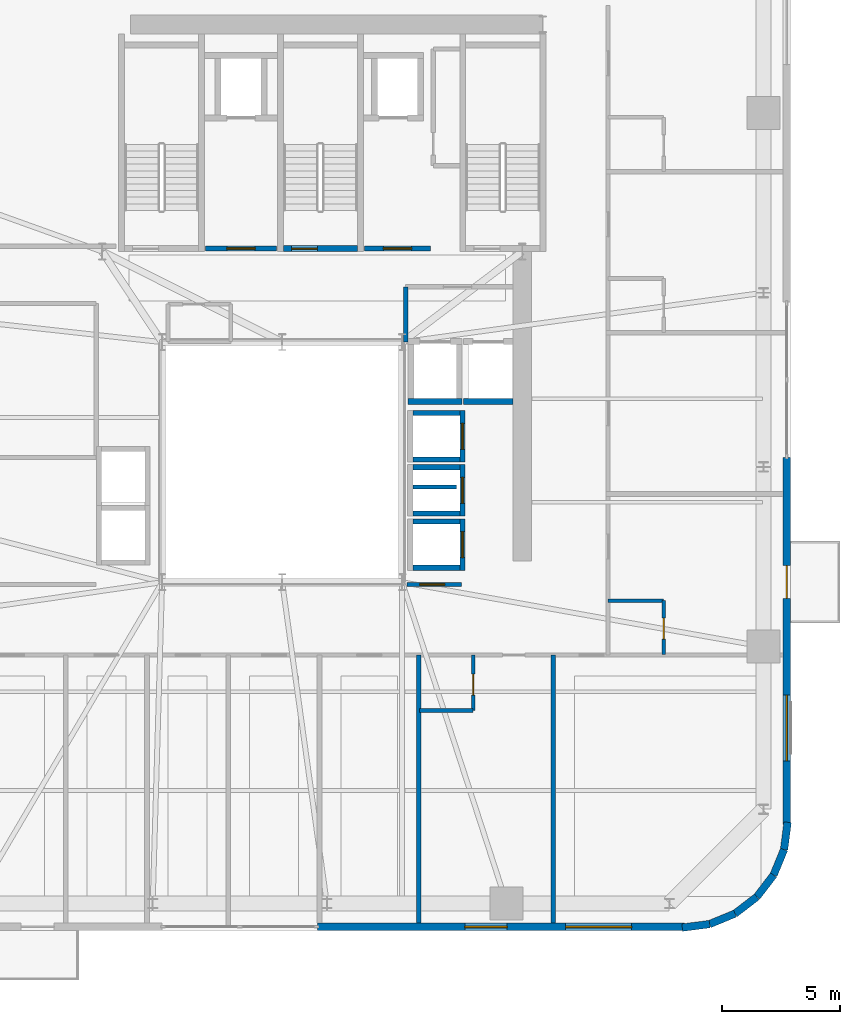
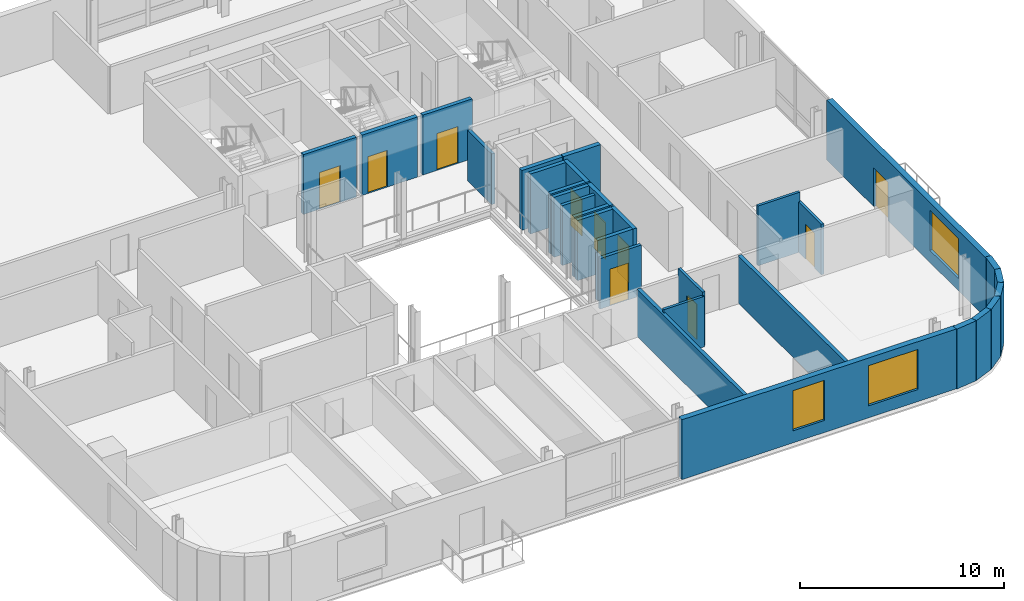
# One storey, part 9 of 16: 31 walls, 10 doors, 3 windows, 13 openings.
"""IFC4 building model written with IfcOpenShell, lengths in metres."""

from ifc_helpers import new_model, si_unit, direction, frame, frame_2d, origin, place, context, subcontext, project, spatial, rectangle, extrude, source, transform, mapped, material, layer, layer_set, type_object, element, fill, save


model = new_model("IFC4")

# Units and contexts
model_context = context("Model", 3, precision=1e-05, world=origin(), true_north=direction((0.0, 1.0)))
body_context = subcontext(model_context, "Body", "Model", "MODEL_VIEW")
ifc_project = project(units=[si_unit("LENGTHUNIT", "METRE"), si_unit("AREAUNIT", "SQUARE_METRE"), si_unit("VOLUMEUNIT", "CUBIC_METRE"), si_unit("PLANEANGLEUNIT", "RADIAN"), si_unit("MASSUNIT", "GRAM", prefix="KILO")], contexts=[model_context])

# Site, building, storey
site_placement = place(None, origin())
site = spatial("IfcSite", under=ifc_project, at=site_placement, CompositionType="ELEMENT")
building_placement = place(site_placement, origin())
building = spatial("IfcBuilding", under=site, at=building_placement, Name="Vardaveli Station Tower", CompositionType="ELEMENT")
storey_placement = place(building_placement, frame((0.0, 0.0, 181.0)))
storey = spatial("IfcBuildingStorey", under=building, at=storey_placement, Name="L46", CompositionType="ELEMENT", Elevation=181.0)

# Wall, openings, windows
ifc_material_1 = material(Name="Precast concrete C45/55", Category="concrete")
ifc_layer_1 = layer(ifc_material_1, 0.320068359375, Name="Precast concrete C45/55")
ifc_layer_set_1 = layer_set([ifc_layer_1], Name="Precast concrete C45/55")
wall_type_1 = type_object("IfcWallType", Name="WAL-EXT-STONE-320", PredefinedType="SOLIDWALL", material=ifc_layer_set_1)
shared_shape_1 = source(origin(), body_context, "Body", "SweptSolid", [
    extrude(rectangle(XDim=15.599853515625, YDim=0.320068359375, at=frame_2d((7.7998046875, 0.0))), origin(), (0.0, 0.0, 1.0), 3.580078125),
])
wall_1_placement = place(storey_placement, frame((37.800048828125, 1.9599609375, 0.0), z_axis=(0.0, 0.0, 1.0), x_axis=(1.0, 0.0, 0.0)))
wall_1 = element("IfcWall", 1, at=wall_1_placement, inside=storey, type_object=wall_type_1, Name="EW-L46-S2", PredefinedType="SOLIDWALL", context=body_context, shape_type="MappedRepresentation", body=[
    mapped(shared_shape_1, transform((0.0, 0.0, 0.0), scale=1.0)),
])
shared_shape_2 = source(origin(), body_context, "Body", "SweptSolid", [
    extrude(rectangle(XDim=2.800048828125, YDim=2.39990234375, at=frame_2d((1.39990234375, 1.199951171875))), frame((0.0, 0.169921875, 0.0), z_axis=(0.0, -1.0, 0.0), x_axis=(1.0, 0.0, 0.0)), (0.0, 0.0, 1.0), 0.340087890625),
])
opening_1_placement = place(wall_1_placement, frame((10.544921875, 0.0, 0.719970703125)))
opening_1 = element("IfcOpeningElement", 2, at=opening_1_placement, cuts=wall_1, Name="Opening W-04", PredefinedType="OPENING", context=body_context, shape_type="MappedRepresentation", body=[
    mapped(shared_shape_2, transform((0.0, 0.0, 0.0), scale=1.0)),
])
shared_shape_3 = source(origin(), body_context, "Body", "SweptSolid", [
    extrude(rectangle(XDim=1.800048828125, YDim=2.39990234375, at=frame_2d((0.89990234375, 1.199951171875))), frame((0.0, 0.169921875, 0.0), z_axis=(0.0, -1.0, 0.0), x_axis=(1.0, 0.0, 0.0)), (0.0, 0.0, 1.0), 0.340087890625),
])
opening_2_placement = place(wall_1_placement, frame((6.262451171875, 0.0, 0.719970703125)))
opening_2 = element("IfcOpeningElement", 3, at=opening_2_placement, cuts=wall_1, Name="Opening W-05", PredefinedType="OPENING", context=body_context, shape_type="MappedRepresentation", body=[
    mapped(shared_shape_3, transform((0.0, 0.0, 0.0), scale=1.0)),
])
ifc_material_2 = material(Name="Low-E solar-control glass", Category="glass")
window_type_1 = type_object("IfcWindowType", Name="WIN-SUITE-2800x2400", PartitioningType="SINGLE_PANEL", PredefinedType="WINDOW", material=ifc_material_2)
shared_shape_4 = source(origin(), body_context, "Body", "SweptSolid", [
    extrude(rectangle(XDim=2.800048828125, YDim=2.39990234375, at=frame_2d((1.39990234375, 1.199951171875))), frame((0.0, 0.030029296875, 0.0), z_axis=(0.0, -1.0, 0.0), x_axis=(1.0, 0.0, 0.0)), (0.0, 0.0, 1.0), 0.06005859375),
])
window_1_placement = place(opening_1_placement, origin())
window_1 = element("IfcWindow", 4, at=window_1_placement, inside=storey, type_object=window_type_1, Name="WN-L46-S2", OverallHeight=2.39990234375, OverallWidth=2.800048828125, PartitioningType="SINGLE_PANEL", PredefinedType="WINDOW", context=body_context, shape_type="MappedRepresentation", body=[
    mapped(shared_shape_4, transform((0.0, 0.0, 0.0), scale=1.0)),
])
fill(opening_1, window_1)
window_type_2 = type_object("IfcWindowType", Name="WIN-HIGH-1800x2400", PartitioningType="SINGLE_PANEL", PredefinedType="WINDOW", material=ifc_material_2)
shared_shape_5 = source(origin(), body_context, "Body", "SweptSolid", [
    extrude(rectangle(XDim=1.800048828125, YDim=2.39990234375, at=frame_2d((0.89990234375, 1.199951171875))), frame((0.0, 0.030029296875, 0.0), z_axis=(0.0, -1.0, 0.0), x_axis=(1.0, 0.0, 0.0)), (0.0, 0.0, 1.0), 0.06005859375),
])
window_2_placement = place(opening_2_placement, origin())
window_2 = element("IfcWindow", 5, at=window_2_placement, inside=storey, type_object=window_type_2, Name="WN-L46-GW1", OverallHeight=2.39990234375, OverallWidth=1.800048828125, PartitioningType="SINGLE_PANEL", PredefinedType="WINDOW", context=body_context, shape_type="MappedRepresentation", body=[
    mapped(shared_shape_5, transform((0.0, 0.0, 0.0), scale=1.0)),
])
fill(opening_2, window_2)

# Wall, openings, door, window
wall_2_placement = place(storey_placement, frame((57.739990234375, 6.300048828125, 0.0), z_axis=(0.0, 0.0, 1.0), x_axis=(0.0, 1.0, 0.0)))
wall_2 = element("IfcWall", 6, at=wall_2_placement, inside=storey, type_object=wall_type_1, Name="EW-L46-E1", PredefinedType="SOLIDWALL", context=body_context, shape_type="MappedRepresentation", body=[
    mapped(shared_shape_1, transform((0.0, 0.0, 0.0), scale=1.0)),
])
shared_shape_6 = source(origin(), body_context, "Body", "SweptSolid", [
    extrude(rectangle(XDim=1.39990234375, YDim=2.300048828125, at=frame_2d((0.699951171875, 1.14990234375))), frame((0.0, 0.169921875, 0.0), z_axis=(0.0, -1.0, 0.0), x_axis=(1.0, 0.0, 0.0)), (0.0, 0.0, 1.0), 0.340087890625),
])
opening_3_placement = place(wall_2_placement, frame((9.6103515625, 0.0, 0.0)))
opening_3 = element("IfcOpeningElement", 7, at=opening_3_placement, cuts=wall_2, Name="Opening D-09", PredefinedType="OPENING", context=body_context, shape_type="MappedRepresentation", body=[
    mapped(shared_shape_6, transform((0.0, 0.0, 0.0), scale=1.0)),
])
opening_4_placement = place(wall_2_placement, frame((2.705078125, 0.0, 0.719970703125)))
opening_4 = element("IfcOpeningElement", 8, at=opening_4_placement, cuts=wall_2, Name="Opening W-04", PredefinedType="OPENING", context=body_context, shape_type="MappedRepresentation", body=[
    mapped(shared_shape_2, transform((0.0, 0.0, 0.0), scale=1.0)),
])
ifc_material_3 = material(Name="Thermally broken aluminium glass", Category="aluminium")
door_type_1 = type_object("IfcDoorType", Name="DR-LOG-1400x2300", OperationType="DOUBLE_DOOR_SLIDING", PredefinedType="DOOR", material=ifc_material_3)
shared_shape_7 = source(origin(), body_context, "Body", "SweptSolid", [
    extrude(rectangle(XDim=1.39990234375, YDim=2.300048828125, at=frame_2d((0.699951171875, 1.14990234375))), frame((0.0, 0.02490234375, 0.0), z_axis=(0.0, -1.0, 0.0), x_axis=(1.0, 0.0, 0.0)), (0.0, 0.0, 1.0), 0.050048828125),
])
door_1_placement = place(opening_3_placement, frame((1.39990234375, 0.0, 0.0), z_axis=(0.0, 0.0, 1.0), x_axis=(-1.0, 0.0, 0.0)))
door_1 = element("IfcDoor", 9, at=door_1_placement, inside=storey, type_object=door_type_1, Name="DLG-L46-E", OperationType="DOUBLE_DOOR_SLIDING", OverallHeight=2.300048828125, OverallWidth=1.39990234375, PredefinedType="DOOR", context=body_context, shape_type="MappedRepresentation", body=[
    mapped(shared_shape_7, transform((0.0, 0.0, 0.0), scale=1.0)),
])
fill(opening_3, door_1)
window_3_placement = place(opening_4_placement, origin())
window_3 = element("IfcWindow", 10, at=window_3_placement, inside=storey, type_object=window_type_1, Name="WN-L46-E1", OverallHeight=2.39990234375, OverallWidth=2.800048828125, PartitioningType="SINGLE_PANEL", PredefinedType="WINDOW", context=body_context, shape_type="MappedRepresentation", body=[
    mapped(shared_shape_4, transform((0.0, 0.0, 0.0), scale=1.0)),
])
fill(opening_4, window_3)

# Walls
shared_shape_8 = source(origin(), body_context, "Body", "SweptSolid", [
    extrude(rectangle(XDim=1.170654296875, YDim=0.320068359375, at=frame_2d((0.58544921875, 0.0))), origin(), (0.0, 0.0, 1.0), 3.580078125),
])
wall_3_placement = place(storey_placement, frame((57.62548828125, 5.23974609375, 0.0), z_axis=(0.0, 0.0, 1.0), x_axis=(0.128269133229, 0.991739395941, 0.0)))
element("IfcWall", 11, at=wall_3_placement, inside=storey, type_object=wall_type_1, Name="EW-L46-CR2-6", PredefinedType="SOLIDWALL", context=body_context, shape_type="MappedRepresentation", body=[
    mapped(shared_shape_8, transform((0.0, 0.0, 0.0), scale=1.0)),
])
shared_shape_9 = source(origin(), body_context, "Body", "SweptSolid", [
    extrude(rectangle(XDim=1.1689453125, YDim=0.320068359375, at=frame_2d((0.58447265625, 0.0))), origin(), (0.0, 0.0, 1.0), 3.580078125),
])
for number, where, z_axis, x_axis, name in (
    (12, (56.46875, 3.231201171875, 0.0), (0.0, 0.0, 1.0), (0.608387696831, 0.793639975269, 0.0), "EW-L46-CR2-4"),
    (13, (57.179931640625, 4.158935546875, 0.0), (0.0, 0.0, 1.0), (0.381127904695, 0.924522320046, 0.0), "EW-L46-CR2-5"),
):
    element("IfcWall", number, at=place(storey_placement, frame(where, z_axis=z_axis, x_axis=x_axis)), inside=storey, type_object=wall_type_1, Name=name, PredefinedType="SOLIDWALL", context=body_context, shape_type="MappedRepresentation", body=[
        mapped(shared_shape_9, transform((0.0, 0.0, 0.0), scale=1.0)),
    ])
shared_shape_10 = source(origin(), body_context, "Body", "SweptSolid", [
    extrude(rectangle(XDim=1.168701171875, YDim=0.320068359375, at=frame_2d((0.58447265625, 0.0))), origin(), (0.0, 0.0, 1.0), 3.580078125),
])
wall_4_placement = place(storey_placement, frame((55.541259765625, 2.520263671875, 0.0), z_axis=(0.0, 0.0, 1.0), x_axis=(0.793663520347, 0.608356981114, 0.0)))
element("IfcWall", 14, at=wall_4_placement, inside=storey, type_object=wall_type_1, Name="EW-L46-CR2-3", PredefinedType="SOLIDWALL", context=body_context, shape_type="MappedRepresentation", body=[
    mapped(shared_shape_10, transform((0.0, 0.0, 0.0), scale=1.0)),
])
shared_shape_11 = source(origin(), body_context, "Body", "SweptSolid", [
    extrude(rectangle(XDim=1.16943359375, YDim=0.320068359375, at=frame_2d((0.584716796875, 0.0))), origin(), (0.0, 0.0, 1.0), 3.580078125),
])
wall_5_placement = place(storey_placement, frame((54.460205078125, 2.074462890625, 0.0), z_axis=(0.0, 0.0, 1.0), x_axis=(0.924479075121, 0.381232789334, 0.0)))
element("IfcWall", 15, at=wall_5_placement, inside=storey, type_object=wall_type_1, Name="EW-L46-CR2-2", PredefinedType="SOLIDWALL", context=body_context, shape_type="MappedRepresentation", body=[
    mapped(shared_shape_11, transform((0.0, 0.0, 0.0), scale=1.0)),
])
shared_shape_12 = source(origin(), body_context, "Body", "SweptSolid", [
    extrude(rectangle(XDim=1.170166015625, YDim=0.320068359375, at=frame_2d((0.5849609375, 0.0))), origin(), (0.0, 0.0, 1.0), 3.580078125),
])
wall_6_placement = place(storey_placement, frame((53.299560546875, 1.924560546875, 0.0), z_axis=(0.0, 0.0, 1.0), x_axis=(0.991762485493, 0.128090485085, 0.0)))
element("IfcWall", 16, at=wall_6_placement, inside=storey, type_object=wall_type_1, Name="EW-L46-CR2-1", PredefinedType="SOLIDWALL", context=body_context, shape_type="MappedRepresentation", body=[
    mapped(shared_shape_12, transform((0.0, 0.0, 0.0), scale=1.0)),
])

# Wall, opening, door
ifc_material_4 = material(Name="Concrete C40/50", Category="concrete")
ifc_layer_2 = layer(ifc_material_4, 0.25, Name="Concrete C40/50")
ifc_layer_set_2 = layer_set([ifc_layer_2], Name="Concrete C40/50")
wall_type_2 = type_object("IfcWallType", Name="WAL-SHAFT-250", PredefinedType="SOLIDWALL", material=ifc_layer_set_2)
shared_shape_13 = source(origin(), body_context, "Body", "SweptSolid", [
    extrude(rectangle(XDim=3.14990234375, YDim=0.25, at=frame_2d((1.574951171875, 0.0))), origin(), (0.0, 0.0, 1.0), 3.60009765625),
])
wall_7_placement = place(storey_placement, frame((36.35009765625, 30.77490234375, 0.0), z_axis=(0.0, 0.0, 1.0), x_axis=(1.0, 0.0, 0.0)))
wall_7 = element("IfcWall", 17, at=wall_7_placement, inside=storey, type_object=wall_type_2, Name="W-L46-ST-2S", PredefinedType="SOLIDWALL", context=body_context, shape_type="MappedRepresentation", body=[
    mapped(shared_shape_13, transform((0.0, 0.0, 0.0), scale=1.0)),
])
shared_shape_14 = source(origin(), body_context, "Body", "SweptSolid", [
    extrude(rectangle(XDim=1.10009765625, YDim=2.199951171875, at=frame_2d((0.550048828125, 1.10009765625))), frame((0.0, 0.135009765625, 0.0), z_axis=(0.0, -1.0, 0.0), x_axis=(1.0, 0.0, 0.0)), (0.0, 0.0, 1.0), 0.27001953125),
])
opening_5_placement = place(wall_7_placement, frame((0.35009765625, 0.0, 0.0)))
opening_5 = element("IfcOpeningElement", 18, at=opening_5_placement, cuts=wall_7, Name="Opening D-04", PredefinedType="OPENING", context=body_context, shape_type="MappedRepresentation", body=[
    mapped(shared_shape_14, transform((0.0, 0.0, 0.0), scale=1.0)),
])
ifc_material_5 = material(Name="Steel smokeproof fire doorset", Category="steel")
door_type_2 = type_object("IfcDoorType", Name="DR-ST-1100x2200", OperationType="NOTDEFINED", PredefinedType="DOOR", material=ifc_material_5)
shared_shape_15 = source(origin(), body_context, "Body", "SweptSolid", [
    extrude(rectangle(XDim=1.10009765625, YDim=2.199951171875, at=frame_2d((0.550048828125, 1.10009765625))), frame((0.0, 0.02490234375, 0.0), z_axis=(0.0, -1.0, 0.0), x_axis=(1.0, 0.0, 0.0)), (0.0, 0.0, 1.0), 0.050048828125),
])
door_2_placement = place(opening_5_placement, origin())
door_2 = element("IfcDoor", 19, at=door_2_placement, inside=storey, type_object=door_type_2, Name="DST-2-L46", OperationType="SINGLE_SWING_LEFT", OverallHeight=2.199951171875, OverallWidth=1.10009765625, PredefinedType="DOOR", context=body_context, shape_type="MappedRepresentation", body=[
    mapped(shared_shape_15, transform((0.0, 0.0, 0.0), scale=1.0)),
])
fill(opening_5, door_2)

ifc_layer_3 = layer(ifc_material_4, 0.219970703125, Name="Concrete C40/50")
ifc_layer_set_3 = layer_set([ifc_layer_3], Name="Concrete C40/50")
wall_type_3 = type_object("IfcWallType", Name="WAL-FFLOBBY-220", PredefinedType="SOLIDWALL", material=ifc_layer_set_3)
shared_shape_16 = source(origin(), body_context, "Body", "SweptSolid", [
    extrude(rectangle(XDim=3.0, YDim=0.219970703125, at=frame_2d((1.5, 0.0))), origin(), (0.0, 0.0, 1.0), 3.580078125),
])
wall_8_placement = place(storey_placement, frame((33.050048828125, 30.780029296875, 0.0), z_axis=(0.0, 0.0, 1.0), x_axis=(1.0, 0.0, 0.0)))
wall_8 = element("IfcWall", 20, at=wall_8_placement, inside=storey, type_object=wall_type_3, Name="W-L46-FFL1S", PredefinedType="SOLIDWALL", context=body_context, shape_type="MappedRepresentation", body=[
    mapped(shared_shape_16, transform((0.0, 0.0, 0.0), scale=1.0)),
])
shared_shape_17 = source(origin(), body_context, "Body", "SweptSolid", [
    extrude(rectangle(XDim=1.199951171875, YDim=2.199951171875, at=frame_2d((0.60009765625, 1.10009765625))), frame((0.0, 0.1201171875, 0.0), z_axis=(0.0, -1.0, 0.0), x_axis=(1.0, 0.0, 0.0)), (0.0, 0.0, 1.0), 0.239990234375),
])
opening_6_placement = place(wall_8_placement, frame((0.89990234375, 0.0, 0.0)))
opening_6 = element("IfcOpeningElement", 21, at=opening_6_placement, cuts=wall_8, Name="Opening D-03", PredefinedType="OPENING", context=body_context, shape_type="MappedRepresentation", body=[
    mapped(shared_shape_17, transform((0.0, 0.0, 0.0), scale=1.0)),
])
door_type_3 = type_object("IfcDoorType", Name="DR-FFL-1200x2200", OperationType="NOTDEFINED", PredefinedType="DOOR", material=ifc_material_5)
shared_shape_18 = source(origin(), body_context, "Body", "SweptSolid", [
    extrude(rectangle(XDim=1.199951171875, YDim=2.199951171875, at=frame_2d((0.60009765625, 1.10009765625))), frame((0.0, 0.02490234375, 0.0), z_axis=(0.0, -1.0, 0.0), x_axis=(1.0, 0.0, 0.0)), (0.0, 0.0, 1.0), 0.050048828125),
])
door_3_placement = place(opening_6_placement, origin())
door_3 = element("IfcDoor", 22, at=door_3_placement, inside=storey, type_object=door_type_3, Name="DFFL1-L46", OperationType="SINGLE_SWING_LEFT", OverallHeight=2.199951171875, OverallWidth=1.199951171875, PredefinedType="DOOR", context=body_context, shape_type="MappedRepresentation", body=[
    mapped(shared_shape_18, transform((0.0, 0.0, 0.0), scale=1.0)),
])
fill(opening_6, door_3)

shared_shape_19 = source(origin(), body_context, "Body", "SweptSolid", [
    extrude(rectangle(XDim=2.800048828125, YDim=0.219970703125, at=frame_2d((1.39990234375, 0.0))), origin(), (0.0, 0.0, 1.0), 3.580078125),
])
wall_9_placement = place(storey_placement, frame((39.800048828125, 30.780029296875, 0.0), z_axis=(0.0, 0.0, 1.0), x_axis=(1.0, 0.0, 0.0)))
wall_9 = element("IfcWall", 23, at=wall_9_placement, inside=storey, type_object=wall_type_3, Name="W-L46-FFL2S", PredefinedType="SOLIDWALL", context=body_context, shape_type="MappedRepresentation", body=[
    mapped(shared_shape_19, transform((0.0, 0.0, 0.0), scale=1.0)),
])
opening_7_placement = place(wall_9_placement, frame((0.800048828125, 0.0, 0.0)))
opening_7 = element("IfcOpeningElement", 24, at=opening_7_placement, cuts=wall_9, Name="Opening D-03", PredefinedType="OPENING", context=body_context, shape_type="MappedRepresentation", body=[
    mapped(shared_shape_17, transform((0.0, 0.0, 0.0), scale=1.0)),
])
door_4_placement = place(opening_7_placement, origin())
door_4 = element("IfcDoor", 25, at=door_4_placement, inside=storey, type_object=door_type_3, Name="DFFL2-L46", OperationType="SINGLE_SWING_RIGHT", OverallHeight=2.199951171875, OverallWidth=1.199951171875, PredefinedType="DOOR", context=body_context, shape_type="MappedRepresentation", body=[
    mapped(shared_shape_18, transform((0.0, 0.0, 0.0), scale=1.0)),
])
fill(opening_7, door_4)

# Walls
shared_shape_20 = source(origin(), body_context, "Body", "SweptSolid", [
    extrude(rectangle(XDim=2.0, YDim=0.219970703125, at=frame_2d((1.0, 0.0))), origin(), (0.0, 0.0, 1.0), 3.580078125),
])
for number, where, z_axis, x_axis, name in (
    (26, (41.85009765625, 21.81494140625, 0.0), (0.0, 0.0, 1.0), (1.0, 0.0, 0.0), "SHW-HL3-01-L46-S"),
    (27, (41.85009765625, 23.784912109375, 0.0), (0.0, 0.0, 1.0), (1.0, 0.0, 0.0), "SHW-HL3-01-L46-N"),
    (28, (41.85009765625, 19.514892578125, 0.0), (0.0, 0.0, 1.0), (1.0, 0.0, 0.0), "SHW-HL3-02-L46-S"),
    (29, (41.85009765625, 21.485107421875, 0.0), (0.0, 0.0, 1.0), (1.0, 0.0, 0.0), "SHW-HL3-02-L46-N"),
    (30, (41.85009765625, 17.215087890625, 0.0), (0.0, 0.0, 1.0), (1.0, 0.0, 0.0), "SHW-HL3-03-L46-S"),
    (31, (41.85009765625, 19.18505859375, 0.0), (0.0, 0.0, 1.0), (1.0, 0.0, 0.0), "SHW-HL3-03-L46-N"),
):
    element("IfcWall", number, at=place(storey_placement, frame(where, z_axis=z_axis, x_axis=x_axis)), inside=storey, type_object=wall_type_3, Name=name, PredefinedType="SOLIDWALL", context=body_context, shape_type="MappedRepresentation", body=[
        mapped(shared_shape_20, transform((0.0, 0.0, 0.0), scale=1.0)),
    ])

# Wall, opening, door
shared_shape_21 = source(origin(), body_context, "Body", "SweptSolid", [
    extrude(rectangle(XDim=2.18994140625, YDim=0.219970703125, at=frame_2d((1.094970703125, 0.0))), origin(), (0.0, 0.0, 1.0), 3.580078125),
])
wall_10_placement = place(storey_placement, frame((43.9599609375, 21.705078125, 0.0), z_axis=(0.0, 0.0, 1.0), x_axis=(0.0, 1.0, 0.0)))
wall_10 = element("IfcWall", 32, at=wall_10_placement, inside=storey, type_object=wall_type_3, Name="SHW-HL3-01-L46-E", PredefinedType="SOLIDWALL", context=body_context, shape_type="MappedRepresentation", body=[
    mapped(shared_shape_21, transform((0.0, 0.0, 0.0), scale=1.0)),
])
shared_shape_22 = source(origin(), body_context, "Body", "SweptSolid", [
    extrude(rectangle(XDim=1.10009765625, YDim=2.199951171875, at=frame_2d((0.550048828125, 1.10009765625))), frame((0.0, 0.1201171875, 0.0), z_axis=(0.0, -1.0, 0.0), x_axis=(1.0, 0.0, 0.0)), (0.0, 0.0, 1.0), 0.239990234375),
])
opening_8_placement = place(wall_10_placement, frame((0.544921875, 0.0, 0.0)))
opening_8 = element("IfcOpeningElement", 33, at=opening_8_placement, cuts=wall_10, Name="Opening LD-01", PredefinedType="OPENING", context=body_context, shape_type="MappedRepresentation", body=[
    mapped(shared_shape_22, transform((0.0, 0.0, 0.0), scale=1.0)),
])
ifc_material_6 = material(Name="Brushed stainless steel", Category="steel")
door_type_4 = type_object("IfcDoorType", Name="DR-LD-1100x2200", OperationType="DOUBLE_DOOR_SLIDING", PredefinedType="DOOR", material=ifc_material_6)
door_5_placement = place(opening_8_placement, origin())
door_5 = element("IfcDoor", 34, at=door_5_placement, inside=storey, type_object=door_type_4, Name="LD-HL3-01-L46", OperationType="DOUBLE_DOOR_SLIDING", OverallHeight=2.199951171875, OverallWidth=1.10009765625, PredefinedType="DOOR", context=body_context, shape_type="MappedRepresentation", body=[
    mapped(shared_shape_15, transform((0.0, 0.0, 0.0), scale=1.0)),
])
fill(opening_8, door_5)

wall_11_placement = place(storey_placement, frame((43.9599609375, 19.405029296875, 0.0), z_axis=(0.0, 0.0, 1.0), x_axis=(0.0, 1.0, 0.0)))
wall_11 = element("IfcWall", 35, at=wall_11_placement, inside=storey, type_object=wall_type_3, Name="SHW-HL3-02-L46-E", PredefinedType="SOLIDWALL", context=body_context, shape_type="MappedRepresentation", body=[
    mapped(shared_shape_21, transform((0.0, 0.0, 0.0), scale=1.0)),
])
opening_9_placement = place(wall_11_placement, frame((0.544921875, 0.0, 0.0)))
opening_9 = element("IfcOpeningElement", 36, at=opening_9_placement, cuts=wall_11, Name="Opening LD-01", PredefinedType="OPENING", context=body_context, shape_type="MappedRepresentation", body=[
    mapped(shared_shape_22, transform((0.0, 0.0, 0.0), scale=1.0)),
])
door_6_placement = place(opening_9_placement, origin())
door_6 = element("IfcDoor", 37, at=door_6_placement, inside=storey, type_object=door_type_4, Name="LD-HL3-02-L46", OperationType="DOUBLE_DOOR_SLIDING", OverallHeight=2.199951171875, OverallWidth=1.10009765625, PredefinedType="DOOR", context=body_context, shape_type="MappedRepresentation", body=[
    mapped(shared_shape_15, transform((0.0, 0.0, 0.0), scale=1.0)),
])
fill(opening_9, door_6)

wall_12_placement = place(storey_placement, frame((43.9599609375, 17.10498046875, 0.0), z_axis=(0.0, 0.0, 1.0), x_axis=(0.0, 1.0, 0.0)))
wall_12 = element("IfcWall", 38, at=wall_12_placement, inside=storey, type_object=wall_type_3, Name="SHW-HL3-03-L46-E", PredefinedType="SOLIDWALL", context=body_context, shape_type="MappedRepresentation", body=[
    mapped(shared_shape_21, transform((0.0, 0.0, 0.0), scale=1.0)),
])
opening_10_placement = place(wall_12_placement, frame((0.544921875, 0.0, 0.0)))
opening_10 = element("IfcOpeningElement", 39, at=opening_10_placement, cuts=wall_12, Name="Opening LD-01", PredefinedType="OPENING", context=body_context, shape_type="MappedRepresentation", body=[
    mapped(shared_shape_22, transform((0.0, 0.0, 0.0), scale=1.0)),
])
door_7_placement = place(opening_10_placement, origin())
door_7 = element("IfcDoor", 40, at=door_7_placement, inside=storey, type_object=door_type_4, Name="LD-HL3-03-L46", OperationType="DOUBLE_DOOR_SLIDING", OverallHeight=2.199951171875, OverallWidth=1.10009765625, PredefinedType="DOOR", context=body_context, shape_type="MappedRepresentation", body=[
    mapped(shared_shape_15, transform((0.0, 0.0, 0.0), scale=1.0)),
])
fill(opening_10, door_7)

# Walls
shared_shape_23 = source(origin(), body_context, "Body", "SweptSolid", [
    extrude(rectangle(XDim=2.300048828125, YDim=0.25, at=frame_2d((1.14990234375, 0.0))), origin(), (0.0, 0.0, 1.0), 3.580078125),
])
wall_13_placement = place(storey_placement, frame((41.64990234375, 24.27490234375, 0.0), z_axis=(0.0, 0.0, 1.0), x_axis=(1.0, 0.0, 0.0)))
element("IfcWall", 41, at=wall_13_placement, inside=storey, type_object=wall_type_2, Name="SHW-SRV-01-L46-S", PredefinedType="SOLIDWALL", context=body_context, shape_type="MappedRepresentation", body=[
    mapped(shared_shape_23, transform((0.0, 0.0, 0.0), scale=1.0)),
])
shared_shape_24 = source(origin(), body_context, "Body", "SweptSolid", [
    extrude(rectangle(XDim=2.10009765625, YDim=0.25, at=frame_2d((1.050048828125, 0.0))), origin(), (0.0, 0.0, 1.0), 3.580078125),
])
wall_14_placement = place(storey_placement, frame((44.0, 24.27490234375, 0.0), z_axis=(0.0, 0.0, 1.0), x_axis=(1.0, 0.0, 0.0)))
element("IfcWall", 42, at=wall_14_placement, inside=storey, type_object=wall_type_2, Name="SHW-SRV-02-L46-S", PredefinedType="SOLIDWALL", context=body_context, shape_type="MappedRepresentation", body=[
    mapped(shared_shape_24, transform((0.0, 0.0, 0.0), scale=1.0)),
])

# Wall, opening, door
ifc_material_7 = material(Name="Moisture-resistant stud partition")
ifc_layer_4 = layer(ifc_material_7, 0.14990234375, Name="Moisture-resistant stud partition")
ifc_layer_set_4 = layer_set([ifc_layer_4], Name="Moisture-resistant stud partition")
wall_type_4 = type_object("IfcWallType", Name="WAL-WET-150", PredefinedType="PARTITIONING", material=ifc_layer_set_4)
shared_shape_25 = source(origin(), body_context, "Body", "SweptSolid", [
    extrude(rectangle(XDim=2.360107421875, YDim=0.14990234375, at=frame_2d((1.18017578125, 0.0))), origin(), (0.0, 0.0, 1.0), 3.241943359375),
])
wall_15_placement = place(storey_placement, frame((44.4150390625, 11.14990234375, 0.0), z_axis=(0.0, 0.0, 1.0), x_axis=(0.0, 1.0, 0.0)))
wall_15 = element("IfcWall", 43, at=wall_15_placement, inside=storey, type_object=wall_type_4, Name="W-L46-BS7-E", PredefinedType="PARTITIONING", context=body_context, shape_type="MappedRepresentation", body=[
    mapped(shared_shape_25, transform((0.0, 0.0, 0.0), scale=1.0)),
])
shared_shape_26 = source(origin(), body_context, "Body", "SweptSolid", [
    extrude(rectangle(XDim=0.89990234375, YDim=2.10009765625, at=frame_2d((0.449951171875, 1.050048828125))), frame((0.0, 0.0849609375, 0.0), z_axis=(0.0, -1.0, 0.0), x_axis=(1.0, 0.0, 0.0)), (0.0, 0.0, 1.0), 0.169921875),
])
opening_11_placement = place(wall_15_placement, frame((0.64990234375, 0.0, 0.0)))
opening_11 = element("IfcOpeningElement", 44, at=opening_11_placement, cuts=wall_15, Name="Opening D-08", PredefinedType="OPENING", context=body_context, shape_type="MappedRepresentation", body=[
    mapped(shared_shape_26, transform((0.0, 0.0, 0.0), scale=1.0)),
])
ifc_material_8 = material(Name="Moisture-resistant oak door")
door_type_5 = type_object("IfcDoorType", Name="DR-BATH-900x2100", OperationType="NOTDEFINED", PredefinedType="DOOR", material=ifc_material_8)
shared_shape_27 = source(origin(), body_context, "Body", "SweptSolid", [
    extrude(rectangle(XDim=0.89990234375, YDim=2.10009765625, at=frame_2d((0.449951171875, 1.050048828125))), frame((0.0, 0.02490234375, 0.0), z_axis=(0.0, -1.0, 0.0), x_axis=(1.0, 0.0, 0.0)), (0.0, 0.0, 1.0), 0.050048828125),
])
door_8_placement = place(opening_11_placement, origin())
door_8 = element("IfcDoor", 45, at=door_8_placement, inside=storey, type_object=door_type_5, Name="D-L46-BS7", OperationType="SINGLE_SWING_RIGHT", OverallHeight=2.10009765625, OverallWidth=0.89990234375, PredefinedType="DOOR", context=body_context, shape_type="MappedRepresentation", body=[
    mapped(shared_shape_27, transform((0.0, 0.0, 0.0), scale=1.0)),
])
fill(opening_11, door_8)

ifc_material_9 = material(Name="Fire-rated gypsum stud partition")
ifc_layer_5 = layer(ifc_material_9, 0.179931640625, Name="Fire-rated gypsum stud partition")
ifc_layer_set_5 = layer_set([ifc_layer_5], Name="Fire-rated gypsum stud partition")
wall_type_5 = type_object("IfcWallType", Name="WAL-CORR-180", PredefinedType="PARTITIONING", material=ifc_layer_set_5)
shared_shape_28 = source(origin(), body_context, "Body", "SweptSolid", [
    extrude(rectangle(XDim=2.329833984375, YDim=0.179931640625, at=frame_2d((1.1650390625, 0.0))), origin(), (0.0, 0.0, 1.0), 3.02197265625),
])
wall_16_placement = place(storey_placement, frame((41.60009765625, 16.5, 0.0), z_axis=(0.0, 0.0, 1.0), x_axis=(1.0, 0.0, 0.0)))
wall_16 = element("IfcWall", 46, at=wall_16_placement, inside=storey, type_object=wall_type_5, Name="W-L46-ATE-S", PredefinedType="PARTITIONING", context=body_context, shape_type="MappedRepresentation", body=[
    mapped(shared_shape_28, transform((0.0, 0.0, 0.0), scale=1.0)),
])
shared_shape_29 = source(origin(), body_context, "Body", "SweptSolid", [
    extrude(rectangle(XDim=1.050048828125, YDim=2.199951171875, at=frame_2d((0.52490234375, 1.10009765625))), frame((0.0, 0.10009765625, 0.0), z_axis=(0.0, -1.0, 0.0), x_axis=(1.0, 0.0, 0.0)), (0.0, 0.0, 1.0), 0.199951171875),
])
opening_12_placement = place(wall_16_placement, frame((0.550048828125, 0.0, 0.0)))
opening_12 = element("IfcOpeningElement", 47, at=opening_12_placement, cuts=wall_16, Name="Opening D-05", PredefinedType="OPENING", context=body_context, shape_type="MappedRepresentation", body=[
    mapped(shared_shape_29, transform((0.0, 0.0, 0.0), scale=1.0)),
])
ifc_material_10 = material(Name="Walnut veneer acoustic fire door")
door_type_6 = type_object("IfcDoorType", Name="DR-SUITE-1050x2200", OperationType="NOTDEFINED", PredefinedType="DOOR", material=ifc_material_10)
shared_shape_30 = source(origin(), body_context, "Body", "SweptSolid", [
    extrude(rectangle(XDim=1.050048828125, YDim=2.199951171875, at=frame_2d((0.52490234375, 1.10009765625))), frame((0.0, 0.02490234375, 0.0), z_axis=(0.0, -1.0, 0.0), x_axis=(1.0, 0.0, 0.0)), (0.0, 0.0, 1.0), 0.050048828125),
])
door_9_placement = place(opening_12_placement, origin())
door_9 = element("IfcDoor", 48, at=door_9_placement, inside=storey, type_object=door_type_6, Name="D-L46-ATE1", OperationType="SINGLE_SWING_RIGHT", OverallHeight=2.199951171875, OverallWidth=1.050048828125, PredefinedType="DOOR", context=body_context, shape_type="MappedRepresentation", body=[
    mapped(shared_shape_30, transform((0.0, 0.0, 0.0), scale=1.0)),
])
fill(opening_12, door_9)

shared_shape_31 = source(origin(), body_context, "Body", "SweptSolid", [
    extrude(rectangle(XDim=2.2900390625, YDim=0.14990234375, at=frame_2d((1.14501953125, 0.0))), origin(), (0.0, 0.0, 1.0), 3.02197265625),
])
wall_17_placement = place(storey_placement, frame((52.510009765625, 13.530029296875, 0.0), z_axis=(0.0, 0.0, 1.0), x_axis=(0.0, 1.0, 0.0)))
wall_17 = element("IfcWall", 49, at=wall_17_placement, inside=storey, type_object=wall_type_4, Name="W-L46-BE1-E", PredefinedType="PARTITIONING", context=body_context, shape_type="MappedRepresentation", body=[
    mapped(shared_shape_31, transform((0.0, 0.0, 0.0), scale=1.0)),
])
opening_13_placement = place(wall_17_placement, frame((0.64990234375, 0.0, 0.0)))
opening_13 = element("IfcOpeningElement", 50, at=opening_13_placement, cuts=wall_17, Name="Opening D-08", PredefinedType="OPENING", context=body_context, shape_type="MappedRepresentation", body=[
    mapped(shared_shape_26, transform((0.0, 0.0, 0.0), scale=1.0)),
])
door_10_placement = place(opening_13_placement, origin())
door_10 = element("IfcDoor", 51, at=door_10_placement, inside=storey, type_object=door_type_5, Name="D-L46-BE1", OperationType="SINGLE_SWING_LEFT", OverallHeight=2.10009765625, OverallWidth=0.89990234375, PredefinedType="DOOR", context=body_context, shape_type="MappedRepresentation", body=[
    mapped(shared_shape_27, transform((0.0, 0.0, 0.0), scale=1.0)),
])
fill(opening_13, door_10)

# Walls
wall_18_placement = place(storey_placement, frame((42.125, 11.14990234375, 0.0), z_axis=(0.0, 0.0, 1.0), x_axis=(1.0, 0.0, 0.0)))
element("IfcWall", 52, at=wall_18_placement, inside=storey, type_object=wall_type_4, Name="W-L46-BS7-S", PredefinedType="PARTITIONING", context=body_context, shape_type="MappedRepresentation", body=[
    mapped(shared_shape_31, transform((0.0, 0.0, 0.0), scale=1.0)),
])
ifc_material_11 = material(Name="Acoustic twin-stud gypsum partition")
ifc_layer_6 = layer(ifc_material_11, 0.199951171875, Name="Acoustic twin-stud gypsum partition")
ifc_layer_set_6 = layer_set([ifc_layer_6], Name="Acoustic twin-stud gypsum partition")
wall_type_6 = type_object("IfcWallType", Name="WAL-PARTY-200", PredefinedType="PARTITIONING", material=ifc_layer_set_6)
shared_shape_32 = source(origin(), body_context, "Body", "SweptSolid", [
    extrude(rectangle(XDim=11.387939453125, YDim=0.199951171875, at=frame_2d((5.69384765625, 0.0))), origin(), (0.0, 0.0, 1.0), 2.822021484375),
])
for number, where, z_axis, x_axis, name in (
    (53, (42.10498046875, 2.1220703125, 0.0), (0.0, 0.0, 1.0), (0.0, 1.0, 0.0), "W-L46-PS6"),
    (54, (47.820068359375, 2.1220703125, 0.0), (0.0, 0.0, 1.0), (0.0, 1.0, 0.0), "W-L46-PS7"),
):
    element("IfcWall", number, at=place(storey_placement, frame(where, z_axis=z_axis, x_axis=x_axis)), inside=storey, type_object=wall_type_6, Name=name, PredefinedType="PARTITIONING", context=body_context, shape_type="MappedRepresentation", body=[
        mapped(shared_shape_32, transform((0.0, 0.0, 0.0), scale=1.0)),
    ])
shared_shape_33 = source(origin(), body_context, "Body", "SweptSolid", [
    extrude(rectangle(XDim=2.360107421875, YDim=0.14990234375, at=frame_2d((1.18017578125, 0.0))), origin(), (0.0, 0.0, 1.0), 3.580078125),
])
wall_19_placement = place(storey_placement, frame((50.14990234375, 15.820068359375, 0.0), z_axis=(0.0, 0.0, 1.0), x_axis=(1.0, 0.0, 0.0)))
element("IfcWall", 55, at=wall_19_placement, inside=storey, type_object=wall_type_4, Name="W-L46-BE1-N", PredefinedType="PARTITIONING", context=body_context, shape_type="MappedRepresentation", body=[
    mapped(shared_shape_33, transform((0.0, 0.0, 0.0), scale=1.0)),
])
shared_shape_34 = source(origin(), body_context, "Body", "SweptSolid", [
    extrude(rectangle(XDim=2.349853515625, YDim=0.179931640625, at=frame_2d((1.1748046875, 0.0))), origin(), (0.0, 0.0, 1.0), 3.02197265625),
])
wall_20_placement = place(storey_placement, frame((41.550048828125, 26.800048828125, 0.0), z_axis=(0.0, 0.0, 1.0), x_axis=(0.0, 1.0, 0.0)))
element("IfcWall", 56, at=wall_20_placement, inside=storey, type_object=wall_type_5, Name="W-L46-SVFW", PredefinedType="PARTITIONING", context=body_context, shape_type="MappedRepresentation", body=[
    mapped(shared_shape_34, transform((0.0, 0.0, 0.0), scale=1.0)),
])
shared_shape_35 = source(origin(), body_context, "Body", "SweptSolid", [
    extrude(rectangle(XDim=1.85791015625, YDim=0.179931640625, at=frame_2d((0.928955078125, 0.0))), origin(), (0.0, 0.0, 1.0), 3.580078125),
])
wall_21_placement = place(storey_placement, frame((41.85205078125, 20.64990234375, 0.0), z_axis=(0.0, 0.0, 1.0), x_axis=(1.0, 0.0, 0.0)))
element("IfcWall", 57, at=wall_21_placement, inside=storey, type_object=wall_type_5, Name="W-L46-ATE-N", PredefinedType="PARTITIONING", context=body_context, shape_type="MappedRepresentation", body=[
    mapped(shared_shape_35, transform((0.0, 0.0, 0.0), scale=1.0)),
])

save(model, "model.ifc")
